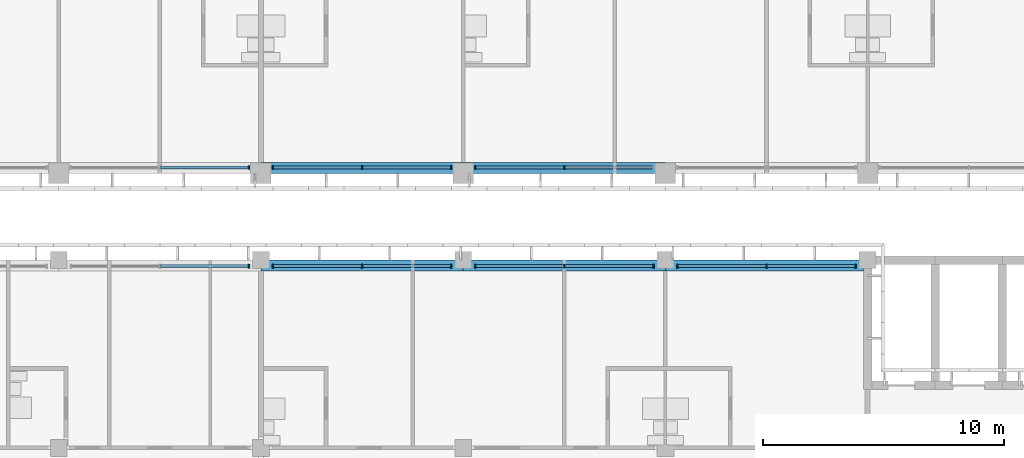
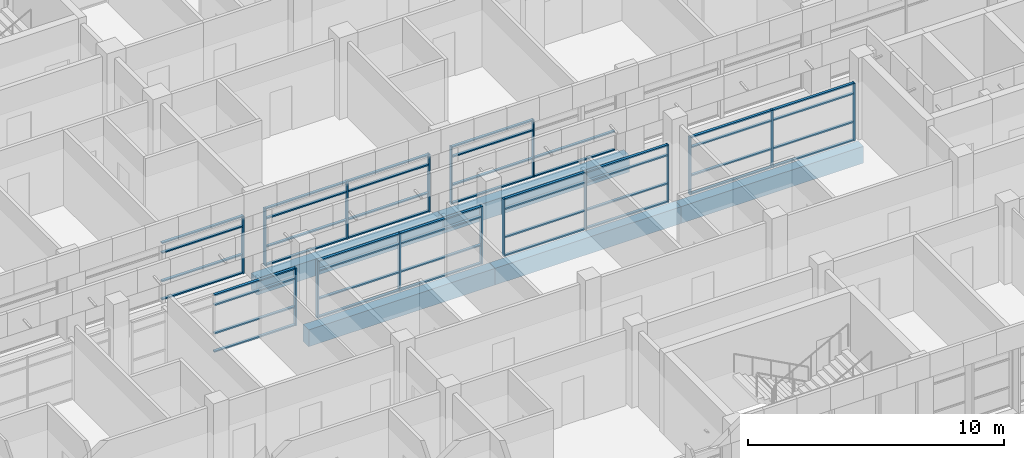
# One storey, part 10 of 74: 62 members, 5 beams, 7 elements without a shape of their own.
"""IFC4 building model written with IfcOpenShell, lengths in metres."""

from ifc_helpers import new_model, si_unit, direction, frame, origin, origin_2d, place, context, subcontext, project, spatial, rectangle, extrude, material, material_profile, profile_set, type_object, element, aggregate, save


model = new_model("IFC4")

# Units and contexts
model_context = context("Model", 3, precision=1e-05, world=origin(), true_north=direction((0.0, 1.0)))
body_context = subcontext(model_context, "Body", "Model", "MODEL_VIEW")
ifc_project = project(units=[si_unit("LENGTHUNIT", "METRE"), si_unit("AREAUNIT", "SQUARE_METRE"), si_unit("VOLUMEUNIT", "CUBIC_METRE"), si_unit("PLANEANGLEUNIT", "RADIAN"), si_unit("MASSUNIT", "GRAM", prefix="KILO")], contexts=[model_context])

# Site, building, storey
site_placement = place(None, origin())
site = spatial("IfcSite", under=ifc_project, at=site_placement, CompositionType="ELEMENT")
building_placement = place(site_placement, origin())
building = spatial("IfcBuilding", under=site, at=building_placement, Name="Bougainvillea Quay General Hospital", CompositionType="ELEMENT")
storey_placement = place(building_placement, frame((0.0, 0.0, 21.0)))
storey = spatial("IfcBuildingStorey", under=building, at=storey_placement, Name="L04", CompositionType="ELEMENT", Elevation=21.0)

# Curtain wall, member
ifc_material_1 = material(Name="Aluminium curtain wall system, powder-coated glazed", Category="aluminium")
curtain_wall_type = type_object("IfcCurtainWallType", Name="Unitised curtain wall CW-3730", PredefinedType="NOTDEFINED", material=ifc_material_1)
curtain_wall_1_placement = place(storey_placement, origin())
curtain_wall_1 = element("IfcCurtainWall", 1, at=curtain_wall_1_placement, inside=storey, type_object=curtain_wall_type, Name="CW-4200 03", PredefinedType="NOTDEFINED")
ifc_material_2 = material(Name="Aluminium mullion, powder-coated charcoal", Category="aluminium")
ifc_material_profile_1 = material_profile(ifc_material_2, rectangle(XDim=0.159912109375, YDim=0.06005859375, at=origin_2d()))
ifc_profile_set_1 = profile_set([ifc_material_profile_1], Name="Aluminium mullion, powder-coated charcoal")
member_type_1 = type_object("IfcMemberType", Name="Curtain wall mullion 160x60", PredefinedType="MULLION", material=ifc_profile_set_1)
member_1_placement = place(storey_placement, frame((108.699951171875, 140.64990234375, 0.0), z_axis=(0.0, 0.0, 1.0), x_axis=(0.0, 1.0, 0.0)))
member_1 = element("IfcMember", 2, at=member_1_placement, type_object=member_type_1, Name="CW-4200 mullion 3", PredefinedType="MULLION", context=body_context, shape_type="SweptSolid", body=[
    extrude(rectangle(XDim=0.159912109375, YDim=0.06005859375, at=origin_2d()), origin(), (0.0, 0.0, 1.0), 2.75),
])

# Curtain wall, members
curtain_wall_2_placement = place(storey_placement, origin())
curtain_wall_2 = element("IfcCurtainWall", 3, at=curtain_wall_2_placement, inside=storey, type_object=curtain_wall_type, Name="CW-4200 04", PredefinedType="NOTDEFINED")
member_2_placement = place(storey_placement, frame((109.699951171875, 140.64990234375, 0.0), z_axis=(0.0, 0.0, 1.0), x_axis=(0.0, 1.0, 0.0)))
member_2 = element("IfcMember", 4, at=member_2_placement, type_object=member_type_1, Name="CW-4200 mullion 1", PredefinedType="MULLION", context=body_context, shape_type="SweptSolid", body=[
    extrude(rectangle(XDim=0.159912109375, YDim=0.06005859375, at=origin_2d()), origin(), (0.0, 0.0, 1.0), 2.75),
])
member_3_placement = place(storey_placement, frame((113.39990234375, 140.64990234375, 0.0), z_axis=(0.0, 0.0, 1.0), x_axis=(0.0, 1.0, 0.0)))
member_3 = element("IfcMember", 5, at=member_3_placement, type_object=member_type_1, Name="CW-4200 mullion 2", PredefinedType="MULLION", context=body_context, shape_type="SweptSolid", body=[
    extrude(rectangle(XDim=0.159912109375, YDim=0.06005859375, at=origin_2d()), origin(), (0.0, 0.0, 1.0), 2.75),
])
member_4_placement = place(storey_placement, frame((117.10009765625, 140.64990234375, 0.0), z_axis=(0.0, 0.0, 1.0), x_axis=(0.0, 1.0, 0.0)))
member_4 = element("IfcMember", 6, at=member_4_placement, type_object=member_type_1, Name="CW-4200 mullion 3", PredefinedType="MULLION", context=body_context, shape_type="SweptSolid", body=[
    extrude(rectangle(XDim=0.159912109375, YDim=0.06005859375, at=origin_2d()), origin(), (0.0, 0.0, 1.0), 2.75),
])

curtain_wall_3_placement = place(storey_placement, origin())
curtain_wall_3 = element("IfcCurtainWall", 7, at=curtain_wall_3_placement, inside=storey, type_object=curtain_wall_type, Name="CW-4200 05", PredefinedType="NOTDEFINED")
member_5_placement = place(storey_placement, frame((118.10009765625, 140.64990234375, 0.0), z_axis=(0.0, 0.0, 1.0), x_axis=(0.0, 1.0, 0.0)))
member_5 = element("IfcMember", 8, at=member_5_placement, type_object=member_type_1, Name="CW-4200 mullion 1", PredefinedType="MULLION", context=body_context, shape_type="SweptSolid", body=[
    extrude(rectangle(XDim=0.159912109375, YDim=0.06005859375, at=origin_2d()), origin(), (0.0, 0.0, 1.0), 2.75),
])
member_6_placement = place(storey_placement, frame((121.800048828125, 140.64990234375, 0.0), z_axis=(0.0, 0.0, 1.0), x_axis=(0.0, 1.0, 0.0)))
member_6 = element("IfcMember", 9, at=member_6_placement, type_object=member_type_1, Name="CW-4200 mullion 2", PredefinedType="MULLION", context=body_context, shape_type="SweptSolid", body=[
    extrude(rectangle(XDim=0.159912109375, YDim=0.06005859375, at=origin_2d()), origin(), (0.0, 0.0, 1.0), 2.75),
])

curtain_wall_4_placement = place(storey_placement, origin())
curtain_wall_4 = element("IfcCurtainWall", 10, at=curtain_wall_4_placement, inside=storey, type_object=curtain_wall_type, Name="CW-4200 00", PredefinedType="NOTDEFINED")
member_7_placement = place(storey_placement, frame((133.89990234375, 136.550048828125, 0.0), z_axis=(0.0, 0.0, 1.0), x_axis=(0.0, -1.0, 0.0)))
member_7 = element("IfcMember", 11, at=member_7_placement, type_object=member_type_1, Name="CW-4200 mullion 1", PredefinedType="MULLION", context=body_context, shape_type="SweptSolid", body=[
    extrude(rectangle(XDim=0.159912109375, YDim=0.06005859375, at=origin_2d()), origin(), (0.0, 0.0, 1.0), 2.75),
])
member_8_placement = place(storey_placement, frame((130.199951171875, 136.550048828125, 0.0), z_axis=(0.0, 0.0, 1.0), x_axis=(0.0, -1.0, 0.0)))
member_8 = element("IfcMember", 12, at=member_8_placement, type_object=member_type_1, Name="CW-4200 mullion 2", PredefinedType="MULLION", context=body_context, shape_type="SweptSolid", body=[
    extrude(rectangle(XDim=0.159912109375, YDim=0.06005859375, at=origin_2d()), origin(), (0.0, 0.0, 1.0), 2.75),
])
member_9_placement = place(storey_placement, frame((126.5, 136.550048828125, 0.0), z_axis=(0.0, 0.0, 1.0), x_axis=(0.0, -1.0, 0.0)))
member_9 = element("IfcMember", 13, at=member_9_placement, type_object=member_type_1, Name="CW-4200 mullion 3", PredefinedType="MULLION", context=body_context, shape_type="SweptSolid", body=[
    extrude(rectangle(XDim=0.159912109375, YDim=0.06005859375, at=origin_2d()), origin(), (0.0, 0.0, 1.0), 2.75),
])

curtain_wall_5_placement = place(storey_placement, origin())
curtain_wall_5 = element("IfcCurtainWall", 14, at=curtain_wall_5_placement, inside=storey, type_object=curtain_wall_type, Name="CW-4200 01", PredefinedType="NOTDEFINED")
member_10_placement = place(storey_placement, frame((125.5, 136.550048828125, 0.0), z_axis=(0.0, 0.0, 1.0), x_axis=(0.0, -1.0, 0.0)))
member_10 = element("IfcMember", 15, at=member_10_placement, type_object=member_type_1, Name="CW-4200 mullion 1", PredefinedType="MULLION", context=body_context, shape_type="SweptSolid", body=[
    extrude(rectangle(XDim=0.159912109375, YDim=0.06005859375, at=origin_2d()), origin(), (0.0, 0.0, 1.0), 2.75),
])
member_11_placement = place(storey_placement, frame((121.800048828125, 136.550048828125, 0.0), z_axis=(0.0, 0.0, 1.0), x_axis=(0.0, -1.0, 0.0)))
member_11 = element("IfcMember", 16, at=member_11_placement, type_object=member_type_1, Name="CW-4200 mullion 2", PredefinedType="MULLION", context=body_context, shape_type="SweptSolid", body=[
    extrude(rectangle(XDim=0.159912109375, YDim=0.06005859375, at=origin_2d()), origin(), (0.0, 0.0, 1.0), 2.75),
])
member_12_placement = place(storey_placement, frame((118.10009765625, 136.550048828125, 0.0), z_axis=(0.0, 0.0, 1.0), x_axis=(0.0, -1.0, 0.0)))
member_12 = element("IfcMember", 17, at=member_12_placement, type_object=member_type_1, Name="CW-4200 mullion 3", PredefinedType="MULLION", context=body_context, shape_type="SweptSolid", body=[
    extrude(rectangle(XDim=0.159912109375, YDim=0.06005859375, at=origin_2d()), origin(), (0.0, 0.0, 1.0), 2.75),
])

curtain_wall_6_placement = place(storey_placement, origin())
curtain_wall_6 = element("IfcCurtainWall", 18, at=curtain_wall_6_placement, inside=storey, type_object=curtain_wall_type, Name="CW-4200 02", PredefinedType="NOTDEFINED")
member_13_placement = place(storey_placement, frame((117.10009765625, 136.550048828125, 0.0), z_axis=(0.0, 0.0, 1.0), x_axis=(0.0, -1.0, 0.0)))
member_13 = element("IfcMember", 19, at=member_13_placement, type_object=member_type_1, Name="CW-4200 mullion 1", PredefinedType="MULLION", context=body_context, shape_type="SweptSolid", body=[
    extrude(rectangle(XDim=0.159912109375, YDim=0.06005859375, at=origin_2d()), origin(), (0.0, 0.0, 1.0), 2.75),
])
member_14_placement = place(storey_placement, frame((113.39990234375, 136.550048828125, 0.0), z_axis=(0.0, 0.0, 1.0), x_axis=(0.0, -1.0, 0.0)))
member_14 = element("IfcMember", 20, at=member_14_placement, type_object=member_type_1, Name="CW-4200 mullion 2", PredefinedType="MULLION", context=body_context, shape_type="SweptSolid", body=[
    extrude(rectangle(XDim=0.159912109375, YDim=0.06005859375, at=origin_2d()), origin(), (0.0, 0.0, 1.0), 2.75),
])
member_15_placement = place(storey_placement, frame((109.699951171875, 136.550048828125, 0.0), z_axis=(0.0, 0.0, 1.0), x_axis=(0.0, -1.0, 0.0)))
member_15 = element("IfcMember", 21, at=member_15_placement, type_object=member_type_1, Name="CW-4200 mullion 3", PredefinedType="MULLION", context=body_context, shape_type="SweptSolid", body=[
    extrude(rectangle(XDim=0.159912109375, YDim=0.06005859375, at=origin_2d()), origin(), (0.0, 0.0, 1.0), 2.75),
])

# Curtain wall, member
curtain_wall_7_placement = place(storey_placement, origin())
curtain_wall_7 = element("IfcCurtainWall", 22, at=curtain_wall_7_placement, inside=storey, type_object=curtain_wall_type, Name="CW-4200 03", PredefinedType="NOTDEFINED")
member_16_placement = place(storey_placement, frame((108.699951171875, 136.550048828125, 0.0), z_axis=(0.0, 0.0, 1.0), x_axis=(0.0, -1.0, 0.0)))
member_16 = element("IfcMember", 23, at=member_16_placement, type_object=member_type_1, Name="CW-4200 mullion 1", PredefinedType="MULLION", context=body_context, shape_type="SweptSolid", body=[
    extrude(rectangle(XDim=0.159912109375, YDim=0.06005859375, at=origin_2d()), origin(), (0.0, 0.0, 1.0), 2.75),
])

# Member
ifc_material_3 = material(Name="Aluminium transom, powder-coated charcoal", Category="aluminium")
ifc_material_profile_2 = material_profile(ifc_material_3, rectangle(XDim=0.1201171875, YDim=0.06005859375, at=origin_2d()))
ifc_profile_set_2 = profile_set([ifc_material_profile_2], Name="Aluminium transom, powder-coated charcoal")
member_type_2 = type_object("IfcMemberType", Name="Curtain wall transom 120x60", PredefinedType="USERDEFINED", material=ifc_profile_set_2)
member_17_placement = place(storey_placement, frame((105.030029296875, 140.64990234375, 0.030029296875), z_axis=(1.0, 0.0, 0.0), x_axis=(0.0, 1.0, 0.0)))
member_17 = element("IfcMember", 24, at=member_17_placement, type_object=member_type_2, Name="CW-4200 transom 2.1", ObjectType="TRANSOM", PredefinedType="USERDEFINED", context=body_context, shape_type="SweptSolid", body=[
    extrude(rectangle(XDim=0.1201171875, YDim=0.06005859375, at=origin_2d()), origin(), (0.0, 0.0, 1.0), 3.639892578125),
])

member_18_placement = place(storey_placement, frame((105.030029296875, 140.64990234375, 0.89990234375), z_axis=(1.0, 0.0, 0.0), x_axis=(0.0, 1.0, 0.0)))
member_18 = element("IfcMember", 25, at=member_18_placement, type_object=member_type_2, Name="CW-4200 transom 2.2", ObjectType="TRANSOM", PredefinedType="USERDEFINED", context=body_context, shape_type="SweptSolid", body=[
    extrude(rectangle(XDim=0.1201171875, YDim=0.06005859375, at=origin_2d()), origin(), (0.0, 0.0, 1.0), 3.639892578125),
])

member_19_placement = place(storey_placement, frame((105.030029296875, 140.64990234375, 2.25), z_axis=(1.0, 0.0, 0.0), x_axis=(0.0, 1.0, 0.0)))
member_19 = element("IfcMember", 26, at=member_19_placement, type_object=member_type_2, Name="CW-4200 transom 2.3", ObjectType="TRANSOM", PredefinedType="USERDEFINED", context=body_context, shape_type="SweptSolid", body=[
    extrude(rectangle(XDim=0.1201171875, YDim=0.06005859375, at=origin_2d()), origin(), (0.0, 0.0, 1.0), 3.639892578125),
])

member_20_placement = place(storey_placement, frame((105.030029296875, 140.64990234375, 2.719970703125), z_axis=(1.0, 0.0, 0.0), x_axis=(0.0, 1.0, 0.0)))
member_20 = element("IfcMember", 27, at=member_20_placement, type_object=member_type_2, Name="CW-4200 transom 2.4", ObjectType="TRANSOM", PredefinedType="USERDEFINED", context=body_context, shape_type="SweptSolid", body=[
    extrude(rectangle(XDim=0.1201171875, YDim=0.06005859375, at=origin_2d()), origin(), (0.0, 0.0, 1.0), 3.639892578125),
])

aggregate(curtain_wall_1, [member_1, member_17, member_18, member_19, member_20])

member_21_placement = place(storey_placement, frame((109.72998046875, 140.64990234375, 0.030029296875), z_axis=(1.0, 0.0, 0.0), x_axis=(0.0, 1.0, 0.0)))
member_21 = element("IfcMember", 28, at=member_21_placement, type_object=member_type_2, Name="CW-4200 transom 1.1", ObjectType="TRANSOM", PredefinedType="USERDEFINED", context=body_context, shape_type="SweptSolid", body=[
    extrude(rectangle(XDim=0.1201171875, YDim=0.06005859375, at=origin_2d()), origin(), (0.0, 0.0, 1.0), 3.64013671875),
])

member_22_placement = place(storey_placement, frame((109.72998046875, 140.64990234375, 0.89990234375), z_axis=(1.0, 0.0, 0.0), x_axis=(0.0, 1.0, 0.0)))
member_22 = element("IfcMember", 29, at=member_22_placement, type_object=member_type_2, Name="CW-4200 transom 1.2", ObjectType="TRANSOM", PredefinedType="USERDEFINED", context=body_context, shape_type="SweptSolid", body=[
    extrude(rectangle(XDim=0.1201171875, YDim=0.06005859375, at=origin_2d()), origin(), (0.0, 0.0, 1.0), 3.64013671875),
])

member_23_placement = place(storey_placement, frame((109.72998046875, 140.64990234375, 2.25), z_axis=(1.0, 0.0, 0.0), x_axis=(0.0, 1.0, 0.0)))
member_23 = element("IfcMember", 30, at=member_23_placement, type_object=member_type_2, Name="CW-4200 transom 1.3", ObjectType="TRANSOM", PredefinedType="USERDEFINED", context=body_context, shape_type="SweptSolid", body=[
    extrude(rectangle(XDim=0.1201171875, YDim=0.06005859375, at=origin_2d()), origin(), (0.0, 0.0, 1.0), 3.64013671875),
])

member_24_placement = place(storey_placement, frame((109.72998046875, 140.64990234375, 2.719970703125), z_axis=(1.0, 0.0, 0.0), x_axis=(0.0, 1.0, 0.0)))
member_24 = element("IfcMember", 31, at=member_24_placement, type_object=member_type_2, Name="CW-4200 transom 1.4", ObjectType="TRANSOM", PredefinedType="USERDEFINED", context=body_context, shape_type="SweptSolid", body=[
    extrude(rectangle(XDim=0.1201171875, YDim=0.06005859375, at=origin_2d()), origin(), (0.0, 0.0, 1.0), 3.64013671875),
])

member_25_placement = place(storey_placement, frame((113.429931640625, 140.64990234375, 0.030029296875), z_axis=(1.0, 0.0, 0.0), x_axis=(0.0, 1.0, 0.0)))
member_25 = element("IfcMember", 32, at=member_25_placement, type_object=member_type_2, Name="CW-4200 transom 2.1", ObjectType="TRANSOM", PredefinedType="USERDEFINED", context=body_context, shape_type="SweptSolid", body=[
    extrude(rectangle(XDim=0.1201171875, YDim=0.06005859375, at=origin_2d()), origin(), (0.0, 0.0, 1.0), 3.64013671875),
])

member_26_placement = place(storey_placement, frame((113.429931640625, 140.64990234375, 0.89990234375), z_axis=(1.0, 0.0, 0.0), x_axis=(0.0, 1.0, 0.0)))
member_26 = element("IfcMember", 33, at=member_26_placement, type_object=member_type_2, Name="CW-4200 transom 2.2", ObjectType="TRANSOM", PredefinedType="USERDEFINED", context=body_context, shape_type="SweptSolid", body=[
    extrude(rectangle(XDim=0.1201171875, YDim=0.06005859375, at=origin_2d()), origin(), (0.0, 0.0, 1.0), 3.64013671875),
])

member_27_placement = place(storey_placement, frame((113.429931640625, 140.64990234375, 2.25), z_axis=(1.0, 0.0, 0.0), x_axis=(0.0, 1.0, 0.0)))
member_27 = element("IfcMember", 34, at=member_27_placement, type_object=member_type_2, Name="CW-4200 transom 2.3", ObjectType="TRANSOM", PredefinedType="USERDEFINED", context=body_context, shape_type="SweptSolid", body=[
    extrude(rectangle(XDim=0.1201171875, YDim=0.06005859375, at=origin_2d()), origin(), (0.0, 0.0, 1.0), 3.64013671875),
])

member_28_placement = place(storey_placement, frame((113.429931640625, 140.64990234375, 2.719970703125), z_axis=(1.0, 0.0, 0.0), x_axis=(0.0, 1.0, 0.0)))
member_28 = element("IfcMember", 35, at=member_28_placement, type_object=member_type_2, Name="CW-4200 transom 2.4", ObjectType="TRANSOM", PredefinedType="USERDEFINED", context=body_context, shape_type="SweptSolid", body=[
    extrude(rectangle(XDim=0.1201171875, YDim=0.06005859375, at=origin_2d()), origin(), (0.0, 0.0, 1.0), 3.64013671875),
])

aggregate(curtain_wall_2, [member_2, member_3, member_4, member_21, member_22, member_23, member_24, member_25, member_26, member_27, member_28])

member_29_placement = place(storey_placement, frame((118.1298828125, 140.64990234375, 0.030029296875), z_axis=(1.0, 0.0, 0.0), x_axis=(0.0, 1.0, 0.0)))
member_29 = element("IfcMember", 36, at=member_29_placement, type_object=member_type_2, Name="CW-4200 transom 1.1", ObjectType="TRANSOM", PredefinedType="USERDEFINED", context=body_context, shape_type="SweptSolid", body=[
    extrude(rectangle(XDim=0.1201171875, YDim=0.06005859375, at=origin_2d()), origin(), (0.0, 0.0, 1.0), 3.64013671875),
])

member_30_placement = place(storey_placement, frame((118.1298828125, 140.64990234375, 0.89990234375), z_axis=(1.0, 0.0, 0.0), x_axis=(0.0, 1.0, 0.0)))
member_30 = element("IfcMember", 37, at=member_30_placement, type_object=member_type_2, Name="CW-4200 transom 1.2", ObjectType="TRANSOM", PredefinedType="USERDEFINED", context=body_context, shape_type="SweptSolid", body=[
    extrude(rectangle(XDim=0.1201171875, YDim=0.06005859375, at=origin_2d()), origin(), (0.0, 0.0, 1.0), 3.64013671875),
])

member_31_placement = place(storey_placement, frame((118.1298828125, 140.64990234375, 2.25), z_axis=(1.0, 0.0, 0.0), x_axis=(0.0, 1.0, 0.0)))
member_31 = element("IfcMember", 38, at=member_31_placement, type_object=member_type_2, Name="CW-4200 transom 1.3", ObjectType="TRANSOM", PredefinedType="USERDEFINED", context=body_context, shape_type="SweptSolid", body=[
    extrude(rectangle(XDim=0.1201171875, YDim=0.06005859375, at=origin_2d()), origin(), (0.0, 0.0, 1.0), 3.64013671875),
])

member_32_placement = place(storey_placement, frame((118.1298828125, 140.64990234375, 2.719970703125), z_axis=(1.0, 0.0, 0.0), x_axis=(0.0, 1.0, 0.0)))
member_32 = element("IfcMember", 39, at=member_32_placement, type_object=member_type_2, Name="CW-4200 transom 1.4", ObjectType="TRANSOM", PredefinedType="USERDEFINED", context=body_context, shape_type="SweptSolid", body=[
    extrude(rectangle(XDim=0.1201171875, YDim=0.06005859375, at=origin_2d()), origin(), (0.0, 0.0, 1.0), 3.64013671875),
])

member_33_placement = place(storey_placement, frame((121.830078125, 140.64990234375, 0.030029296875), z_axis=(1.0, 0.0, 0.0), x_axis=(0.0, 1.0, 0.0)))
member_33 = element("IfcMember", 40, at=member_33_placement, type_object=member_type_2, Name="CW-4200 transom 2.1", ObjectType="TRANSOM", PredefinedType="USERDEFINED", context=body_context, shape_type="SweptSolid", body=[
    extrude(rectangle(XDim=0.1201171875, YDim=0.06005859375, at=origin_2d()), origin(), (0.0, 0.0, 1.0), 3.639892578125),
])

member_34_placement = place(storey_placement, frame((121.830078125, 140.64990234375, 0.89990234375), z_axis=(1.0, 0.0, 0.0), x_axis=(0.0, 1.0, 0.0)))
member_34 = element("IfcMember", 41, at=member_34_placement, type_object=member_type_2, Name="CW-4200 transom 2.2", ObjectType="TRANSOM", PredefinedType="USERDEFINED", context=body_context, shape_type="SweptSolid", body=[
    extrude(rectangle(XDim=0.1201171875, YDim=0.06005859375, at=origin_2d()), origin(), (0.0, 0.0, 1.0), 3.639892578125),
])

aggregate(curtain_wall_3, [member_5, member_6, member_29, member_30, member_31, member_32, member_33, member_34])

member_35_placement = place(storey_placement, frame((133.8701171875, 136.550048828125, 0.030029296875), z_axis=(-1.0, 0.0, 0.0), x_axis=(0.0, -1.0, 0.0)))
member_35 = element("IfcMember", 42, at=member_35_placement, type_object=member_type_2, Name="CW-4200 transom 1.1", ObjectType="TRANSOM", PredefinedType="USERDEFINED", context=body_context, shape_type="SweptSolid", body=[
    extrude(rectangle(XDim=0.1201171875, YDim=0.06005859375, at=origin_2d()), origin(), (0.0, 0.0, 1.0), 3.64013671875),
])

member_36_placement = place(storey_placement, frame((133.8701171875, 136.550048828125, 0.89990234375), z_axis=(-1.0, 0.0, 0.0), x_axis=(0.0, -1.0, 0.0)))
member_36 = element("IfcMember", 43, at=member_36_placement, type_object=member_type_2, Name="CW-4200 transom 1.2", ObjectType="TRANSOM", PredefinedType="USERDEFINED", context=body_context, shape_type="SweptSolid", body=[
    extrude(rectangle(XDim=0.1201171875, YDim=0.06005859375, at=origin_2d()), origin(), (0.0, 0.0, 1.0), 3.64013671875),
])

member_37_placement = place(storey_placement, frame((133.8701171875, 136.550048828125, 2.25), z_axis=(-1.0, 0.0, 0.0), x_axis=(0.0, -1.0, 0.0)))
member_37 = element("IfcMember", 44, at=member_37_placement, type_object=member_type_2, Name="CW-4200 transom 1.3", ObjectType="TRANSOM", PredefinedType="USERDEFINED", context=body_context, shape_type="SweptSolid", body=[
    extrude(rectangle(XDim=0.1201171875, YDim=0.06005859375, at=origin_2d()), origin(), (0.0, 0.0, 1.0), 3.64013671875),
])

member_38_placement = place(storey_placement, frame((133.8701171875, 136.550048828125, 2.719970703125), z_axis=(-1.0, 0.0, 0.0), x_axis=(0.0, -1.0, 0.0)))
member_38 = element("IfcMember", 45, at=member_38_placement, type_object=member_type_2, Name="CW-4200 transom 1.4", ObjectType="TRANSOM", PredefinedType="USERDEFINED", context=body_context, shape_type="SweptSolid", body=[
    extrude(rectangle(XDim=0.1201171875, YDim=0.06005859375, at=origin_2d()), origin(), (0.0, 0.0, 1.0), 3.64013671875),
])

member_39_placement = place(storey_placement, frame((130.169921875, 136.550048828125, 0.030029296875), z_axis=(-1.0, 0.0, 0.0), x_axis=(0.0, -1.0, 0.0)))
member_39 = element("IfcMember", 46, at=member_39_placement, type_object=member_type_2, Name="CW-4200 transom 2.1", ObjectType="TRANSOM", PredefinedType="USERDEFINED", context=body_context, shape_type="SweptSolid", body=[
    extrude(rectangle(XDim=0.1201171875, YDim=0.06005859375, at=origin_2d()), origin(), (0.0, 0.0, 1.0), 3.639892578125),
])

member_40_placement = place(storey_placement, frame((130.169921875, 136.550048828125, 0.89990234375), z_axis=(-1.0, 0.0, 0.0), x_axis=(0.0, -1.0, 0.0)))
member_40 = element("IfcMember", 47, at=member_40_placement, type_object=member_type_2, Name="CW-4200 transom 2.2", ObjectType="TRANSOM", PredefinedType="USERDEFINED", context=body_context, shape_type="SweptSolid", body=[
    extrude(rectangle(XDim=0.1201171875, YDim=0.06005859375, at=origin_2d()), origin(), (0.0, 0.0, 1.0), 3.639892578125),
])

member_41_placement = place(storey_placement, frame((130.169921875, 136.550048828125, 2.25), z_axis=(-1.0, 0.0, 0.0), x_axis=(0.0, -1.0, 0.0)))
member_41 = element("IfcMember", 48, at=member_41_placement, type_object=member_type_2, Name="CW-4200 transom 2.3", ObjectType="TRANSOM", PredefinedType="USERDEFINED", context=body_context, shape_type="SweptSolid", body=[
    extrude(rectangle(XDim=0.1201171875, YDim=0.06005859375, at=origin_2d()), origin(), (0.0, 0.0, 1.0), 3.639892578125),
])

member_42_placement = place(storey_placement, frame((130.169921875, 136.550048828125, 2.719970703125), z_axis=(-1.0, 0.0, 0.0), x_axis=(0.0, -1.0, 0.0)))
member_42 = element("IfcMember", 49, at=member_42_placement, type_object=member_type_2, Name="CW-4200 transom 2.4", ObjectType="TRANSOM", PredefinedType="USERDEFINED", context=body_context, shape_type="SweptSolid", body=[
    extrude(rectangle(XDim=0.1201171875, YDim=0.06005859375, at=origin_2d()), origin(), (0.0, 0.0, 1.0), 3.639892578125),
])

aggregate(curtain_wall_4, [member_7, member_8, member_9, member_35, member_36, member_37, member_38, member_39, member_40, member_41, member_42])

member_43_placement = place(storey_placement, frame((125.469970703125, 136.550048828125, 0.030029296875), z_axis=(-1.0, 0.0, 0.0), x_axis=(0.0, -1.0, 0.0)))
member_43 = element("IfcMember", 50, at=member_43_placement, type_object=member_type_2, Name="CW-4200 transom 1.1", ObjectType="TRANSOM", PredefinedType="USERDEFINED", context=body_context, shape_type="SweptSolid", body=[
    extrude(rectangle(XDim=0.1201171875, YDim=0.06005859375, at=origin_2d()), origin(), (0.0, 0.0, 1.0), 3.639892578125),
])

member_44_placement = place(storey_placement, frame((125.469970703125, 136.550048828125, 0.89990234375), z_axis=(-1.0, 0.0, 0.0), x_axis=(0.0, -1.0, 0.0)))
member_44 = element("IfcMember", 51, at=member_44_placement, type_object=member_type_2, Name="CW-4200 transom 1.2", ObjectType="TRANSOM", PredefinedType="USERDEFINED", context=body_context, shape_type="SweptSolid", body=[
    extrude(rectangle(XDim=0.1201171875, YDim=0.06005859375, at=origin_2d()), origin(), (0.0, 0.0, 1.0), 3.639892578125),
])

member_45_placement = place(storey_placement, frame((125.469970703125, 136.550048828125, 2.25), z_axis=(-1.0, 0.0, 0.0), x_axis=(0.0, -1.0, 0.0)))
member_45 = element("IfcMember", 52, at=member_45_placement, type_object=member_type_2, Name="CW-4200 transom 1.3", ObjectType="TRANSOM", PredefinedType="USERDEFINED", context=body_context, shape_type="SweptSolid", body=[
    extrude(rectangle(XDim=0.1201171875, YDim=0.06005859375, at=origin_2d()), origin(), (0.0, 0.0, 1.0), 3.639892578125),
])

member_46_placement = place(storey_placement, frame((125.469970703125, 136.550048828125, 2.719970703125), z_axis=(-1.0, 0.0, 0.0), x_axis=(0.0, -1.0, 0.0)))
member_46 = element("IfcMember", 53, at=member_46_placement, type_object=member_type_2, Name="CW-4200 transom 1.4", ObjectType="TRANSOM", PredefinedType="USERDEFINED", context=body_context, shape_type="SweptSolid", body=[
    extrude(rectangle(XDim=0.1201171875, YDim=0.06005859375, at=origin_2d()), origin(), (0.0, 0.0, 1.0), 3.639892578125),
])

member_47_placement = place(storey_placement, frame((121.77001953125, 136.550048828125, 0.030029296875), z_axis=(-1.0, 0.0, 0.0), x_axis=(0.0, -1.0, 0.0)))
member_47 = element("IfcMember", 54, at=member_47_placement, type_object=member_type_2, Name="CW-4200 transom 2.1", ObjectType="TRANSOM", PredefinedType="USERDEFINED", context=body_context, shape_type="SweptSolid", body=[
    extrude(rectangle(XDim=0.1201171875, YDim=0.06005859375, at=origin_2d()), origin(), (0.0, 0.0, 1.0), 3.64013671875),
])

member_48_placement = place(storey_placement, frame((121.77001953125, 136.550048828125, 0.89990234375), z_axis=(-1.0, 0.0, 0.0), x_axis=(0.0, -1.0, 0.0)))
member_48 = element("IfcMember", 55, at=member_48_placement, type_object=member_type_2, Name="CW-4200 transom 2.2", ObjectType="TRANSOM", PredefinedType="USERDEFINED", context=body_context, shape_type="SweptSolid", body=[
    extrude(rectangle(XDim=0.1201171875, YDim=0.06005859375, at=origin_2d()), origin(), (0.0, 0.0, 1.0), 3.64013671875),
])

member_49_placement = place(storey_placement, frame((121.77001953125, 136.550048828125, 2.25), z_axis=(-1.0, 0.0, 0.0), x_axis=(0.0, -1.0, 0.0)))
member_49 = element("IfcMember", 56, at=member_49_placement, type_object=member_type_2, Name="CW-4200 transom 2.3", ObjectType="TRANSOM", PredefinedType="USERDEFINED", context=body_context, shape_type="SweptSolid", body=[
    extrude(rectangle(XDim=0.1201171875, YDim=0.06005859375, at=origin_2d()), origin(), (0.0, 0.0, 1.0), 3.64013671875),
])

member_50_placement = place(storey_placement, frame((121.77001953125, 136.550048828125, 2.719970703125), z_axis=(-1.0, 0.0, 0.0), x_axis=(0.0, -1.0, 0.0)))
member_50 = element("IfcMember", 57, at=member_50_placement, type_object=member_type_2, Name="CW-4200 transom 2.4", ObjectType="TRANSOM", PredefinedType="USERDEFINED", context=body_context, shape_type="SweptSolid", body=[
    extrude(rectangle(XDim=0.1201171875, YDim=0.06005859375, at=origin_2d()), origin(), (0.0, 0.0, 1.0), 3.64013671875),
])

aggregate(curtain_wall_5, [member_10, member_11, member_12, member_43, member_44, member_45, member_46, member_47, member_48, member_49, member_50])

member_51_placement = place(storey_placement, frame((117.070068359375, 136.550048828125, 0.030029296875), z_axis=(-1.0, 0.0, 0.0), x_axis=(0.0, -1.0, 0.0)))
member_51 = element("IfcMember", 58, at=member_51_placement, type_object=member_type_2, Name="CW-4200 transom 1.1", ObjectType="TRANSOM", PredefinedType="USERDEFINED", context=body_context, shape_type="SweptSolid", body=[
    extrude(rectangle(XDim=0.1201171875, YDim=0.06005859375, at=origin_2d()), origin(), (0.0, 0.0, 1.0), 3.64013671875),
])

member_52_placement = place(storey_placement, frame((117.070068359375, 136.550048828125, 0.89990234375), z_axis=(-1.0, 0.0, 0.0), x_axis=(0.0, -1.0, 0.0)))
member_52 = element("IfcMember", 59, at=member_52_placement, type_object=member_type_2, Name="CW-4200 transom 1.2", ObjectType="TRANSOM", PredefinedType="USERDEFINED", context=body_context, shape_type="SweptSolid", body=[
    extrude(rectangle(XDim=0.1201171875, YDim=0.06005859375, at=origin_2d()), origin(), (0.0, 0.0, 1.0), 3.64013671875),
])

member_53_placement = place(storey_placement, frame((117.070068359375, 136.550048828125, 2.25), z_axis=(-1.0, 0.0, 0.0), x_axis=(0.0, -1.0, 0.0)))
member_53 = element("IfcMember", 60, at=member_53_placement, type_object=member_type_2, Name="CW-4200 transom 1.3", ObjectType="TRANSOM", PredefinedType="USERDEFINED", context=body_context, shape_type="SweptSolid", body=[
    extrude(rectangle(XDim=0.1201171875, YDim=0.06005859375, at=origin_2d()), origin(), (0.0, 0.0, 1.0), 3.64013671875),
])

member_54_placement = place(storey_placement, frame((117.070068359375, 136.550048828125, 2.719970703125), z_axis=(-1.0, 0.0, 0.0), x_axis=(0.0, -1.0, 0.0)))
member_54 = element("IfcMember", 61, at=member_54_placement, type_object=member_type_2, Name="CW-4200 transom 1.4", ObjectType="TRANSOM", PredefinedType="USERDEFINED", context=body_context, shape_type="SweptSolid", body=[
    extrude(rectangle(XDim=0.1201171875, YDim=0.06005859375, at=origin_2d()), origin(), (0.0, 0.0, 1.0), 3.64013671875),
])

member_55_placement = place(storey_placement, frame((113.3701171875, 136.550048828125, 0.030029296875), z_axis=(-1.0, 0.0, 0.0), x_axis=(0.0, -1.0, 0.0)))
member_55 = element("IfcMember", 62, at=member_55_placement, type_object=member_type_2, Name="CW-4200 transom 2.1", ObjectType="TRANSOM", PredefinedType="USERDEFINED", context=body_context, shape_type="SweptSolid", body=[
    extrude(rectangle(XDim=0.1201171875, YDim=0.06005859375, at=origin_2d()), origin(), (0.0, 0.0, 1.0), 3.64013671875),
])

member_56_placement = place(storey_placement, frame((113.3701171875, 136.550048828125, 0.89990234375), z_axis=(-1.0, 0.0, 0.0), x_axis=(0.0, -1.0, 0.0)))
member_56 = element("IfcMember", 63, at=member_56_placement, type_object=member_type_2, Name="CW-4200 transom 2.2", ObjectType="TRANSOM", PredefinedType="USERDEFINED", context=body_context, shape_type="SweptSolid", body=[
    extrude(rectangle(XDim=0.1201171875, YDim=0.06005859375, at=origin_2d()), origin(), (0.0, 0.0, 1.0), 3.64013671875),
])

member_57_placement = place(storey_placement, frame((113.3701171875, 136.550048828125, 2.25), z_axis=(-1.0, 0.0, 0.0), x_axis=(0.0, -1.0, 0.0)))
member_57 = element("IfcMember", 64, at=member_57_placement, type_object=member_type_2, Name="CW-4200 transom 2.3", ObjectType="TRANSOM", PredefinedType="USERDEFINED", context=body_context, shape_type="SweptSolid", body=[
    extrude(rectangle(XDim=0.1201171875, YDim=0.06005859375, at=origin_2d()), origin(), (0.0, 0.0, 1.0), 3.64013671875),
])

member_58_placement = place(storey_placement, frame((113.3701171875, 136.550048828125, 2.719970703125), z_axis=(-1.0, 0.0, 0.0), x_axis=(0.0, -1.0, 0.0)))
member_58 = element("IfcMember", 65, at=member_58_placement, type_object=member_type_2, Name="CW-4200 transom 2.4", ObjectType="TRANSOM", PredefinedType="USERDEFINED", context=body_context, shape_type="SweptSolid", body=[
    extrude(rectangle(XDim=0.1201171875, YDim=0.06005859375, at=origin_2d()), origin(), (0.0, 0.0, 1.0), 3.64013671875),
])

aggregate(curtain_wall_6, [member_13, member_14, member_15, member_51, member_52, member_53, member_54, member_55, member_56, member_57, member_58])

member_59_placement = place(storey_placement, frame((108.669921875, 136.550048828125, 0.030029296875), z_axis=(-1.0, 0.0, 0.0), x_axis=(0.0, -1.0, 0.0)))
member_59 = element("IfcMember", 66, at=member_59_placement, type_object=member_type_2, Name="CW-4200 transom 1.1", ObjectType="TRANSOM", PredefinedType="USERDEFINED", context=body_context, shape_type="SweptSolid", body=[
    extrude(rectangle(XDim=0.1201171875, YDim=0.06005859375, at=origin_2d()), origin(), (0.0, 0.0, 1.0), 3.639892578125),
])

member_60_placement = place(storey_placement, frame((108.669921875, 136.550048828125, 0.89990234375), z_axis=(-1.0, 0.0, 0.0), x_axis=(0.0, -1.0, 0.0)))
member_60 = element("IfcMember", 67, at=member_60_placement, type_object=member_type_2, Name="CW-4200 transom 1.2", ObjectType="TRANSOM", PredefinedType="USERDEFINED", context=body_context, shape_type="SweptSolid", body=[
    extrude(rectangle(XDim=0.1201171875, YDim=0.06005859375, at=origin_2d()), origin(), (0.0, 0.0, 1.0), 3.639892578125),
])

member_61_placement = place(storey_placement, frame((108.669921875, 136.550048828125, 2.25), z_axis=(-1.0, 0.0, 0.0), x_axis=(0.0, -1.0, 0.0)))
member_61 = element("IfcMember", 68, at=member_61_placement, type_object=member_type_2, Name="CW-4200 transom 1.3", ObjectType="TRANSOM", PredefinedType="USERDEFINED", context=body_context, shape_type="SweptSolid", body=[
    extrude(rectangle(XDim=0.1201171875, YDim=0.06005859375, at=origin_2d()), origin(), (0.0, 0.0, 1.0), 3.639892578125),
])

member_62_placement = place(storey_placement, frame((108.669921875, 136.550048828125, 2.719970703125), z_axis=(-1.0, 0.0, 0.0), x_axis=(0.0, -1.0, 0.0)))
member_62 = element("IfcMember", 69, at=member_62_placement, type_object=member_type_2, Name="CW-4200 transom 1.4", ObjectType="TRANSOM", PredefinedType="USERDEFINED", context=body_context, shape_type="SweptSolid", body=[
    extrude(rectangle(XDim=0.1201171875, YDim=0.06005859375, at=origin_2d()), origin(), (0.0, 0.0, 1.0), 3.639892578125),
])

aggregate(curtain_wall_7, [member_16, member_59, member_60, member_61, member_62])

# Beams
ifc_material_4 = material(Name="Concrete C40", Category="concrete")
ifc_material_profile_3 = material_profile(ifc_material_4, rectangle(XDim=0.449951171875, YDim=0.800048828125, at=origin_2d()))
ifc_profile_set_3 = profile_set([ifc_material_profile_3], Name="Concrete C40")
beam_type = type_object("IfcBeamType", Name="RC BEAM 450x800 C40", PredefinedType="BEAM", material=ifc_profile_set_3)
beam_1_placement = place(storey_placement, frame((109.199951171875, 140.625, -0.699951171875), z_axis=(1.0, 0.0, 0.0), x_axis=(0.0, 1.0, 0.0)))
element("IfcBeam", 70, at=beam_1_placement, inside=storey, type_object=beam_type, Name="Edge beam L04", PredefinedType="BEAM", context=body_context, shape_type="SweptSolid", body=[
    extrude(rectangle(XDim=0.449951171875, YDim=0.800048828125, at=origin_2d()), origin(), (0.0, 0.0, 1.0), 8.400146484375),
])
beam_2_placement = place(storey_placement, frame((117.60009765625, 140.625, -0.699951171875), z_axis=(1.0, 0.0, 0.0), x_axis=(0.0, 1.0, 0.0)))
element("IfcBeam", 71, at=beam_2_placement, inside=storey, type_object=beam_type, Name="Edge beam L04", PredefinedType="BEAM", context=body_context, shape_type="SweptSolid", body=[
    extrude(rectangle(XDim=0.449951171875, YDim=0.800048828125, at=origin_2d()), origin(), (0.0, 0.0, 1.0), 8.39990234375),
])
beam_3_placement = place(storey_placement, frame((134.22509765625, 136.574951171875, -0.699951171875), z_axis=(-1.0, 0.0, 0.0), x_axis=(0.0, -1.0, 0.0)))
element("IfcBeam", 72, at=beam_3_placement, inside=storey, type_object=beam_type, Name="Edge beam L04", PredefinedType="BEAM", context=body_context, shape_type="SweptSolid", body=[
    extrude(rectangle(XDim=0.449951171875, YDim=0.800048828125, at=origin_2d()), origin(), (0.0, 0.0, 1.0), 8.22509765625),
])
beam_4_placement = place(storey_placement, frame((126.0, 136.574951171875, -0.699951171875), z_axis=(-1.0, 0.0, 0.0), x_axis=(0.0, -1.0, 0.0)))
element("IfcBeam", 73, at=beam_4_placement, inside=storey, type_object=beam_type, Name="Edge beam L04", PredefinedType="BEAM", context=body_context, shape_type="SweptSolid", body=[
    extrude(rectangle(XDim=0.449951171875, YDim=0.800048828125, at=origin_2d()), origin(), (0.0, 0.0, 1.0), 8.39990234375),
])
beam_5_placement = place(storey_placement, frame((117.60009765625, 136.574951171875, -0.699951171875), z_axis=(-1.0, 0.0, 0.0), x_axis=(0.0, -1.0, 0.0)))
element("IfcBeam", 74, at=beam_5_placement, inside=storey, type_object=beam_type, Name="Edge beam L04", PredefinedType="BEAM", context=body_context, shape_type="SweptSolid", body=[
    extrude(rectangle(XDim=0.449951171875, YDim=0.800048828125, at=origin_2d()), origin(), (0.0, 0.0, 1.0), 8.400146484375),
])

save(model, "model.ifc")
